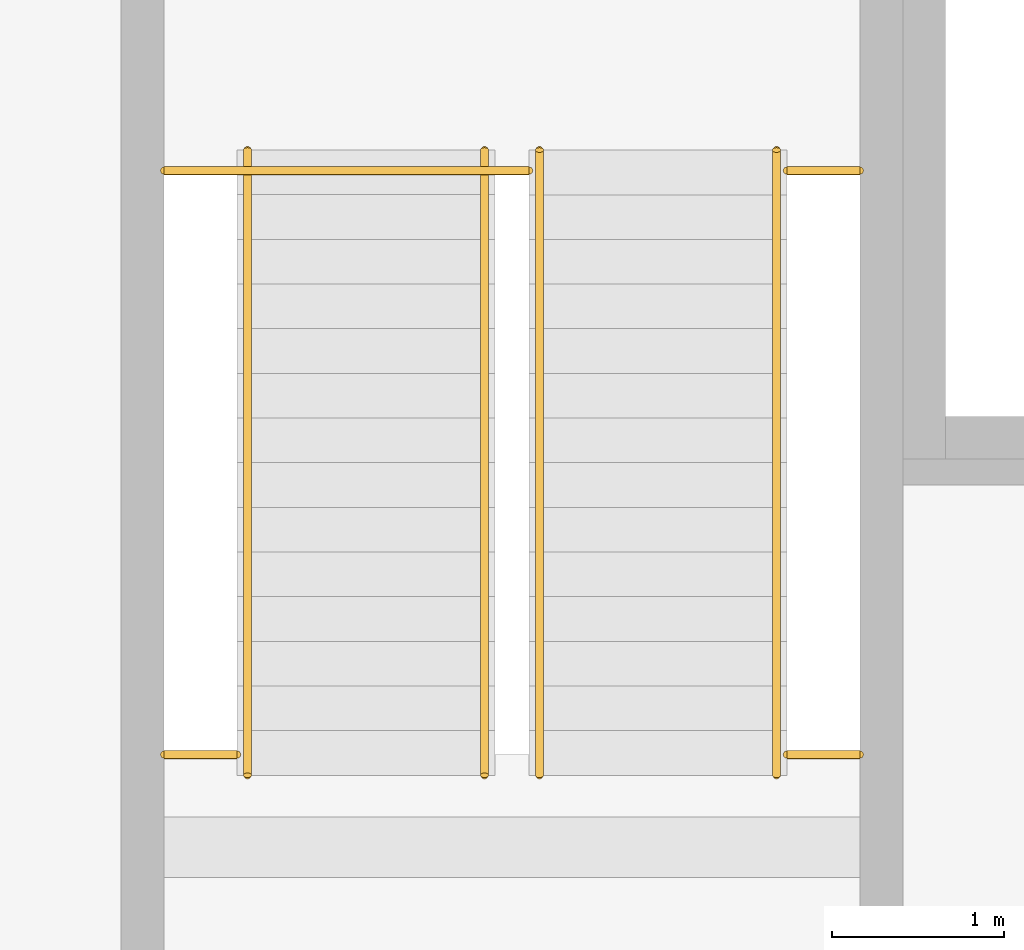
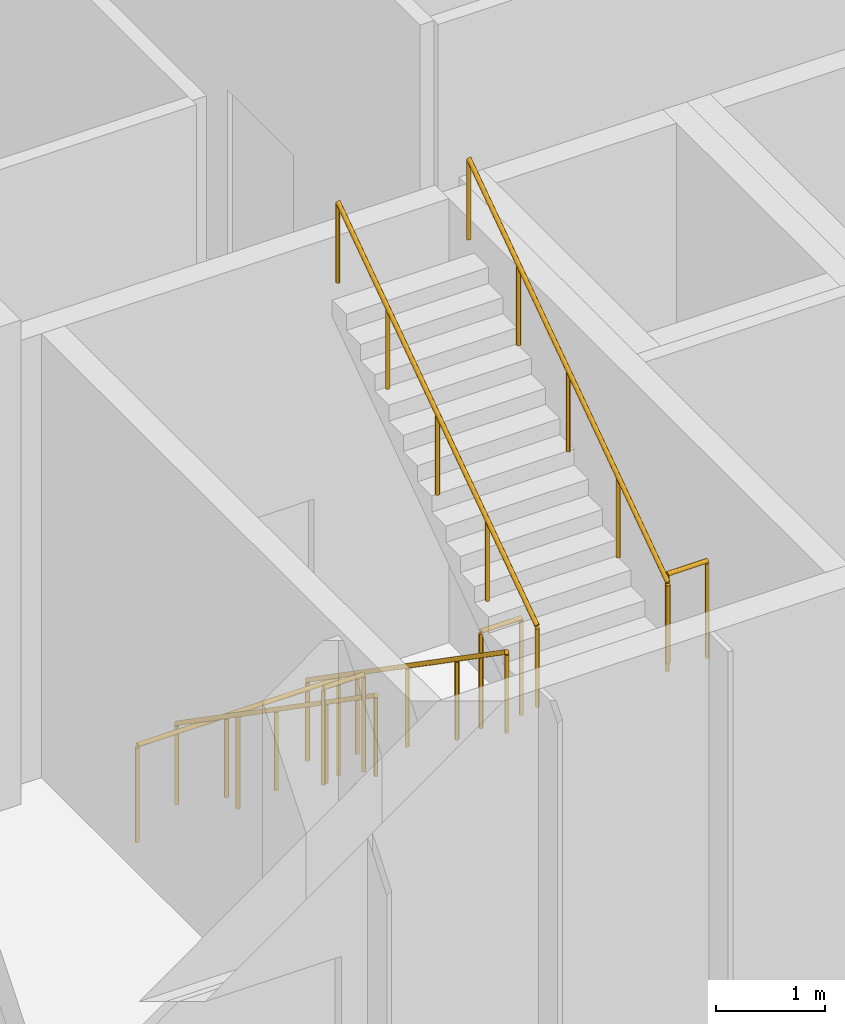
# One storey, part 31 of 33: 8 railings.
"""IFC4 building model written with IfcOpenShell, lengths in metres."""

from ifc_helpers import new_model, si_unit, direction, frame, origin, origin_2d, place, context, subcontext, project, spatial, circle, extrude, material, type_object, element, save


model = new_model("IFC4")

# Units and contexts
model_context = context("Model", 3, precision=1e-05, world=origin(), true_north=direction((0.0, 1.0)))
body_context = subcontext(model_context, "Body", "Model", "MODEL_VIEW")
ifc_project = project(units=[si_unit("LENGTHUNIT", "METRE"), si_unit("AREAUNIT", "SQUARE_METRE"), si_unit("VOLUMEUNIT", "CUBIC_METRE"), si_unit("PLANEANGLEUNIT", "RADIAN"), si_unit("MASSUNIT", "GRAM", prefix="KILO")], contexts=[model_context])

# Site, building, storey
site_placement = place(None, origin())
site = spatial("IfcSite", under=ifc_project, at=site_placement, CompositionType="ELEMENT")
building_placement = place(site_placement, origin())
building = spatial("IfcBuilding", under=site, at=building_placement, Name="Basin Gate Institute", CompositionType="ELEMENT")
storey_placement = place(building_placement, frame((0.0, 0.0, 6.0)))
storey = spatial("IfcBuildingStorey", under=building, at=storey_placement, Name="L01", CompositionType="ELEMENT", Elevation=6.0)

# Railings
ifc_material_1 = material(Name="Stainless steel tube and glass infill", Category="steel")
railing_type_1 = type_object("IfcRailingType", Name="Block railing 1100", PredefinedType="GUARDRAIL", material=ifc_material_1)
railing_placement = place(storey_placement, frame((134.52490234375, 75.85498046875, 0.0)))
element("IfcRailing", 1, at=railing_placement, inside=storey, type_object=railing_type_1, material=ifc_material_1, Name="Guard stairwell ST-C1 L01", PredefinedType="GUARDRAIL", context=body_context, shape_type="SweptSolid", body=[
    extrude(circle(Radius=0.02392578125, at=origin_2d()), frame((0.0, 0.0, 1.076171875), z_axis=(1.0, 0.0, 0.0), x_axis=(0.0, 1.0, 0.0)), (0.0, 0.0, 1.0), 2.125),
    extrude(circle(Radius=0.02099609375, at=origin_2d()), origin(), (0.0, 0.0, 1.0), 1.052001953125),
    extrude(circle(Radius=0.02099609375, at=origin_2d()), frame((1.0625, 0.0, 0.0)), (0.0, 0.0, 1.0), 1.052001953125),
    extrude(circle(Radius=0.02099609375, at=origin_2d()), frame((2.125, 0.0, 0.0)), (0.0, 0.0, 1.0), 1.052001953125),
])
for number, where, name in (
    (2, (138.14990234375, 75.85498046875, 0.0), "Guard stairwell ST-C1 L01 east"),
    (3, (134.52490234375, 72.455078125, 2.699951171875), "Guard stair landing ST-C2 L01"),
    (4, (138.14990234375, 72.455078125, 2.699951171875), "Guard stair landing ST-C2 L01"),
):
    element("IfcRailing", number, at=place(storey_placement, frame(where)), inside=storey, type_object=railing_type_1, material=ifc_material_1, Name=name, PredefinedType="GUARDRAIL", context=body_context, shape_type="SweptSolid", body=[
        extrude(circle(Radius=0.02392578125, at=origin_2d()), frame((0.0, 0.0, 1.076171875), z_axis=(1.0, 0.0, 0.0), x_axis=(0.0, 1.0, 0.0)), (0.0, 0.0, 1.0), 0.425048828125),
        extrude(circle(Radius=0.02099609375, at=origin_2d()), origin(), (0.0, 0.0, 1.0), 1.052001953125),
        extrude(circle(Radius=0.02099609375, at=origin_2d()), frame((0.425048828125, 0.0, 0.0)), (0.0, 0.0, 1.0), 1.052001953125),
    ])
ifc_material_2 = material(Name="Stainless steel tube and glass infill", Category="steel")
railing_type_2 = type_object("IfcRailingType", Name="Block railing 920", PredefinedType="HANDRAIL", material=ifc_material_2)
for number, where, name in (
    (5, (135.010009765625, 75.97509765625, 0.179931640625), "Handrail ST-C2 flight 1"),
    (6, (136.389892578125, 75.97509765625, 0.179931640625), "Handrail ST-C2 flight 1"),
):
    element("IfcRailing", number, at=place(storey_placement, frame(where)), inside=storey, type_object=railing_type_2, material=ifc_material_2, Name=name, PredefinedType="HANDRAIL", context=body_context, shape_type="SweptSolid", body=[
        extrude(circle(Radius=0.02392578125, at=origin_2d()), frame((0.0, 0.0, 0.89599609375), z_axis=(0.0, -0.82220013233, 0.56919850878), x_axis=(1.0, 0.0, 0.0)), (0.0, 0.0, 1.0), 4.42724609375),
        extrude(circle(Radius=0.02099609375, at=origin_2d()), origin(), (0.0, 0.0, 1.0), 0.871826171875),
        extrude(circle(Radius=0.02099609375, at=origin_2d()), frame((0.0, -0.91015625, 0.6298828125)), (0.0, 0.0, 1.0), 0.871826171875),
        extrude(circle(Radius=0.02099609375, at=origin_2d()), frame((0.0, -1.820068359375, 1.260009765625)), (0.0, 0.0, 1.0), 0.871826171875),
        extrude(circle(Radius=0.02099609375, at=origin_2d()), frame((0.0, -2.72998046875, 1.89013671875)), (0.0, 0.0, 1.0), 0.871826171875),
        extrude(circle(Radius=0.02099609375, at=origin_2d()), frame((0.0, -3.64013671875, 2.52001953125)), (0.0, 0.0, 1.0), 0.871826171875),
    ])
for number, where, name in (
    (7, (136.7099609375, 72.3349609375, 2.8798828125), "Handrail ST-C2 flight 2"),
    (8, (138.090087890625, 72.3349609375, 2.8798828125), "Handrail ST-C2 flight 2"),
):
    element("IfcRailing", number, at=place(storey_placement, frame(where)), inside=storey, type_object=railing_type_2, material=ifc_material_2, Name=name, PredefinedType="HANDRAIL", context=body_context, shape_type="SweptSolid", body=[
        extrude(circle(Radius=0.02392578125, at=origin_2d()), frame((0.0, 0.0, 0.89599609375), z_axis=(0.0, 0.82220013233, 0.56919850878), x_axis=(-1.0, 0.0, 0.0)), (0.0, 0.0, 1.0), 4.42724609375),
        extrude(circle(Radius=0.02099609375, at=origin_2d()), origin(), (0.0, 0.0, 1.0), 0.871826171875),
        extrude(circle(Radius=0.02099609375, at=origin_2d()), frame((0.0, 0.91015625, 0.6298828125)), (0.0, 0.0, 1.0), 0.871826171875),
        extrude(circle(Radius=0.02099609375, at=origin_2d()), frame((0.0, 1.820068359375, 1.260009765625)), (0.0, 0.0, 1.0), 0.871826171875),
        extrude(circle(Radius=0.02099609375, at=origin_2d()), frame((0.0, 2.72998046875, 1.89013671875)), (0.0, 0.0, 1.0), 0.871826171875),
        extrude(circle(Radius=0.02099609375, at=origin_2d()), frame((0.0, 3.64013671875, 2.52001953125)), (0.0, 0.0, 1.0), 0.871826171875),
    ])

save(model, "model.ifc")
